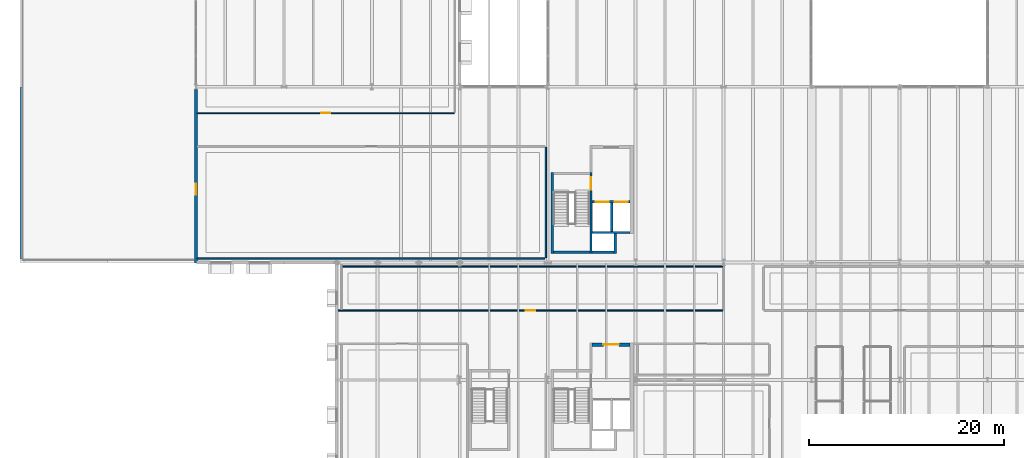
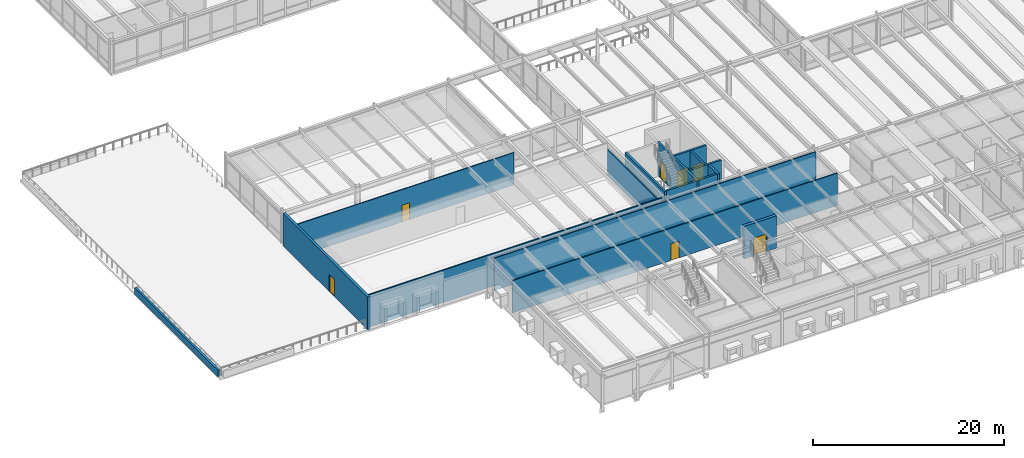
# One storey, part 108 of 127: 16 walls, 7 doors, 7 openings.
"""IFC4 building model written with IfcOpenShell, lengths in metres."""

from ifc_helpers import new_model, si_unit, direction, frame, frame_2d, origin, place, context, subcontext, project, spatial, rectangle, extrude, material, layer, layer_set, type_object, element, fill, save


model = new_model("IFC4")

# Units and contexts
model_context = context("Model", 3, precision=1e-05, world=origin(), true_north=direction((0.0, 1.0)))
body_context = subcontext(model_context, "Body", "Model", "MODEL_VIEW")
ifc_project = project(units=[si_unit("LENGTHUNIT", "METRE"), si_unit("AREAUNIT", "SQUARE_METRE"), si_unit("VOLUMEUNIT", "CUBIC_METRE"), si_unit("PLANEANGLEUNIT", "RADIAN"), si_unit("MASSUNIT", "GRAM", prefix="KILO")], contexts=[model_context])

# Site, building, storey
site_placement = place(None, origin())
site = spatial("IfcSite", under=ifc_project, at=site_placement, CompositionType="ELEMENT")
building_placement = place(site_placement, origin())
building = spatial("IfcBuilding", under=site, at=building_placement, Name="Montelvaro Courts of Justice", CompositionType="ELEMENT")
storey_placement = place(building_placement, frame((0.0, 0.0, 5.39990234375)))
storey = spatial("IfcBuildingStorey", under=building, at=storey_placement, Name="L01", CompositionType="ELEMENT", Elevation=5.39990234375)

# Walls
ifc_material_1 = material(Name="Gypsum board on metal stud")
ifc_layer_1 = layer(ifc_material_1, 0.14990234375)
ifc_layer_set_1 = layer_set([ifc_layer_1], Name="Gypsum board on metal stud")
wall_type_1 = type_object("IfcWallType", Name="ChambersPartition_150", PredefinedType="PARTITIONING", material=ifc_layer_set_1)
wall_1_placement = place(storey_placement, frame((53.719970703125, 24.39990234375, 0.0), z_axis=(0.0, 0.0, 1.0), x_axis=(-1.0, 0.0, 0.0)))
element("IfcWall", 1, at=wall_1_placement, inside=storey, type_object=wall_type_1, Name="Interior Partition IW-04 (L01)", PredefinedType="PARTITIONING", context=body_context, shape_type="SweptSolid", body=[
    extrude(rectangle(XDim=35.574951171875, YDim=0.14990234375, at=frame_2d((17.78759765625, 0.0))), origin(), (0.0, 0.0, 1.0), 4.14013671875),
])
wall_2_placement = place(storey_placement, frame((53.800048828125, 35.820068359375, 0.0), z_axis=(0.0, 0.0, 1.0), x_axis=(0.0, -1.0, 0.0)))
element("IfcWall", 2, at=wall_2_placement, inside=storey, type_object=wall_type_1, Name="Interior Partition IW-04 (L01)", PredefinedType="PARTITIONING", context=body_context, shape_type="SweptSolid", body=[
    extrude(rectangle(XDim=11.340087890625, YDim=0.14990234375, at=frame_2d((5.669921875, 0.0))), origin(), (0.0, 0.0, 1.0), 3.364990234375),
])

# Wall, opening, door
ifc_material_2 = material(Name="Concrete C40/50", Category="concrete")
ifc_layer_2 = layer(ifc_material_2, 0.360107421875)
ifc_layer_set_2 = layer_set([ifc_layer_2], Name="Concrete C40/50")
wall_type_2 = type_object("IfcWallType", Name="CoreWall_360", PredefinedType="SHEAR", material=ifc_layer_set_2)
wall_3_placement = place(storey_placement, frame((58.5400390625, 15.6201171875, 0.0), z_axis=(0.0, 0.0, 1.0), x_axis=(1.0, 0.0, 0.0)))
wall_3 = element("IfcWall", 3, at=wall_3_placement, inside=storey, type_object=wall_type_2, Name="Core Shear Wall CW-01 K1-N (L01)", PredefinedType="SHEAR", context=body_context, shape_type="SweptSolid", body=[
    extrude(rectangle(XDim=3.89990234375, YDim=0.360107421875, at=frame_2d((1.949951171875, 0.0))), origin(), (0.0, 0.0, 1.0), 4.16015625),
])
opening_1_placement = place(wall_3_placement, frame((1.14990234375, 0.0, 0.0)))
opening_1 = element("IfcOpeningElement", 4, at=opening_1_placement, cuts=wall_3, Name="Opening DL-L01-K1", PredefinedType="OPENING", context=body_context, shape_type="SweptSolid", body=[
    extrude(rectangle(XDim=1.60009765625, YDim=2.25, at=frame_2d((0.800048828125, 1.125))), frame((0.0, 0.19482421875, 0.0), z_axis=(0.0, -1.0, 0.0), x_axis=(1.0, 0.0, 0.0)), (0.0, 0.0, 1.0), 0.389892578125),
])
ifc_material_3 = material(Name="Galvanised steel S355 security door", Category="steel")
door_type_1 = type_object("IfcDoorType", Name="LobbyFireDoor_160x225", OperationType="DOUBLE_DOOR_SINGLE_SWING", PredefinedType="DOOR", material=ifc_material_3)
door_1_placement = place(opening_1_placement, origin())
door_1 = element("IfcDoor", 5, at=door_1_placement, inside=storey, type_object=door_type_1, Name="Core Lobby Fire Door DL-L01-K1", OperationType="DOUBLE_DOOR_SINGLE_SWING", OverallHeight=2.25, OverallWidth=1.60009765625, PredefinedType="DOOR", context=body_context, shape_type="SweptSolid", body=[
    extrude(rectangle(XDim=1.60009765625, YDim=2.25, at=frame_2d((0.800048828125, 1.125))), frame((0.0, 0.02490234375, 0.0), z_axis=(0.0, -1.0, 0.0), x_axis=(1.0, 0.0, 0.0)), (0.0, 0.0, 1.0), 0.050048828125),
])
fill(opening_1, door_1)

ifc_material_4 = material(Name="White mineral precast concrete C45/55", Category="concrete")
ifc_layer_3 = layer(ifc_material_4, 0.300048828125)
ifc_layer_set_3 = layer_set([ifc_layer_3], Name="White mineral precast concrete C45/55")
wall_type_3 = type_object("IfcWallType", Name="ExtWall_GFRC_300", PredefinedType="SOLIDWALL", material=ifc_layer_set_3)
wall_4_placement = place(storey_placement, frame((18.0, 41.72705078125, 0.0), z_axis=(0.0, 0.0, 1.0), x_axis=(0.0, -1.0, 0.0)))
wall_4 = element("IfcWall", 6, at=wall_4_placement, inside=storey, type_object=wall_type_3, Name="Exterior Facade Wall EW-02 (L01)", PredefinedType="SOLIDWALL", context=body_context, shape_type="SweptSolid", body=[
    extrude(rectangle(XDim=17.76708984375, YDim=0.300048828125, at=frame_2d((8.883544921875, 0.0))), origin(), (0.0, 0.0, 1.0), 4.18017578125),
])
opening_2_placement = place(wall_4_placement, frame((9.677001953125, 0.0, 0.0)))
opening_2 = element("IfcOpeningElement", 7, at=opening_2_placement, cuts=wall_4, Name="Opening DT-L01-01", PredefinedType="OPENING", context=body_context, shape_type="SweptSolid", body=[
    extrude(rectangle(XDim=1.10009765625, YDim=2.199951171875, at=frame_2d((0.550048828125, 1.10009765625))), frame((0.0, 0.1650390625, 0.0), z_axis=(0.0, -1.0, 0.0), x_axis=(1.0, 0.0, 0.0)), (0.0, 0.0, 1.0), 0.329833984375),
])
ifc_material_5 = material(Name="Anodised aluminium and laminated safety glass", Category="aluminium")
door_type_2 = type_object("IfcDoorType", Name="ExtDoor_Ter_110x220", OperationType="NOTDEFINED", PredefinedType="DOOR", material=ifc_material_5)
door_2_placement = place(opening_2_placement, frame((1.10009765625, 0.0, 0.0), z_axis=(0.0, 0.0, 1.0), x_axis=(-1.0, 0.0, 0.0)))
door_2 = element("IfcDoor", 8, at=door_2_placement, inside=storey, type_object=door_type_2, Name="Terrace Access Door DT-L01-01", OperationType="SINGLE_SWING_LEFT", OverallHeight=2.199951171875, OverallWidth=1.10009765625, PredefinedType="DOOR", context=body_context, shape_type="SweptSolid", body=[
    extrude(rectangle(XDim=1.10009765625, YDim=2.199951171875, at=frame_2d((0.550048828125, 1.10009765625))), frame((0.0, 0.02490234375, 0.0), z_axis=(0.0, -1.0, 0.0), x_axis=(1.0, 0.0, 0.0)), (0.0, 0.0, 1.0), 0.050048828125),
])
fill(opening_2, door_2)

ifc_layer_4 = layer(ifc_material_1, 0.1201171875)
ifc_layer_set_4 = layer_set([ifc_layer_4], Name="Gypsum board on metal stud")
wall_type_4 = type_object("IfcWallType", Name="OfficePartition_120", PredefinedType="PARTITIONING", material=ifc_layer_set_4)
wall_5_placement = place(storey_placement, frame((44.419921875, 39.300048828125, 0.0), z_axis=(0.0, 0.0, 1.0), x_axis=(-1.0, 0.0, 0.0)))
wall_5 = element("IfcWall", 9, at=wall_5_placement, inside=storey, type_object=wall_type_4, Name="Interior Partition IW-05 (L01)", PredefinedType="PARTITIONING", context=body_context, shape_type="SweptSolid", body=[
    extrude(rectangle(XDim=26.27490234375, YDim=0.1201171875, at=frame_2d((13.137451171875, 0.0))), origin(), (0.0, 0.0, 1.0), 4.14013671875),
])
opening_3_placement = place(wall_5_placement, frame((12.6630859375, 0.0, 0.0)))
opening_3 = element("IfcOpeningElement", 10, at=opening_3_placement, cuts=wall_5, Name="Opening D-L01-065", PredefinedType="OPENING", context=body_context, shape_type="SweptSolid", body=[
    extrude(rectangle(XDim=0.949951171875, YDim=2.14990234375, at=frame_2d((0.47509765625, 1.074951171875))), frame((0.0, 0.074951171875, 0.0), z_axis=(0.0, -1.0, 0.0), x_axis=(1.0, 0.0, 0.0)), (0.0, 0.0, 1.0), 0.14990234375),
])
ifc_material_6 = material(Name="Acoustic oak timber veneer", Category="wood")
door_type_3 = type_object("IfcDoorType", Name="OfficeDoor_095x215", OperationType="NOTDEFINED", PredefinedType="DOOR", material=ifc_material_6)
door_3_placement = place(opening_3_placement, frame((0.949951171875, 0.0, 0.0), z_axis=(0.0, 0.0, 1.0), x_axis=(-1.0, 0.0, 0.0)))
door_3 = element("IfcDoor", 11, at=door_3_placement, inside=storey, type_object=door_type_3, Name="Interior Door D-L01-065 (Digital Legal Research Room L01)", OperationType="SINGLE_SWING_RIGHT", OverallHeight=2.14990234375, OverallWidth=0.949951171875, PredefinedType="DOOR", context=body_context, shape_type="SweptSolid", body=[
    extrude(rectangle(XDim=0.949951171875, YDim=2.14990234375, at=frame_2d((0.47509765625, 1.074951171875))), frame((0.0, 0.02490234375, 0.0), z_axis=(0.0, -1.0, 0.0), x_axis=(1.0, 0.0, 0.0)), (0.0, 0.0, 1.0), 0.050048828125),
])
fill(opening_3, door_3)

# Wall
wall_6_placement = place(storey_placement, frame((32.955078125, 23.60009765625, 0.0), z_axis=(0.0, 0.0, 1.0), x_axis=(1.0, 0.0, 0.0)))
element("IfcWall", 12, at=wall_6_placement, inside=storey, type_object=wall_type_4, Name="Interior Partition IW-05 (L01)", PredefinedType="PARTITIONING", context=body_context, shape_type="SweptSolid", body=[
    extrude(rectangle(XDim=38.96484375, YDim=0.1201171875, at=frame_2d((19.482421875, 0.0))), origin(), (0.0, 0.0, 1.0), 4.14013671875),
])

# Wall, opening, door
wall_7_placement = place(storey_placement, frame((71.919921875, 19.10009765625, 0.0), z_axis=(0.0, 0.0, 1.0), x_axis=(-1.0, 0.0, 0.0)))
wall_7 = element("IfcWall", 13, at=wall_7_placement, inside=storey, type_object=wall_type_4, Name="Interior Partition IW-05 (L01)", PredefinedType="PARTITIONING", context=body_context, shape_type="SweptSolid", body=[
    extrude(rectangle(XDim=39.375, YDim=0.1201171875, at=frame_2d((19.6875, 0.0))), origin(), (0.0, 0.0, 1.0), 4.14013671875),
])
opening_4_placement = place(wall_7_placement, frame((19.2119140625, 0.0, 0.0)))
opening_4 = element("IfcOpeningElement", 14, at=opening_4_placement, cuts=wall_7, Name="Opening D-L01-072", PredefinedType="OPENING", context=body_context, shape_type="SweptSolid", body=[
    extrude(rectangle(XDim=0.949951171875, YDim=2.14990234375, at=frame_2d((0.47509765625, 1.074951171875))), frame((0.0, 0.074951171875, 0.0), z_axis=(0.0, -1.0, 0.0), x_axis=(1.0, 0.0, 0.0)), (0.0, 0.0, 1.0), 0.14990234375),
])
door_4_placement = place(opening_4_placement, origin())
door_4 = element("IfcDoor", 15, at=door_4_placement, inside=storey, type_object=door_type_3, Name="Interior Door D-L01-072 (Judicial Clerks' Office West L01)", OperationType="SINGLE_SWING_LEFT", OverallHeight=2.14990234375, OverallWidth=0.949951171875, PredefinedType="DOOR", context=body_context, shape_type="SweptSolid", body=[
    extrude(rectangle(XDim=0.949951171875, YDim=2.14990234375, at=frame_2d((0.47509765625, 1.074951171875))), frame((0.0, 0.02490234375, 0.0), z_axis=(0.0, -1.0, 0.0), x_axis=(1.0, 0.0, 0.0)), (0.0, 0.0, 1.0), 0.050048828125),
])
fill(opening_4, door_4)

# Walls
ifc_layer_5 = layer(ifc_material_4, 0.239990234375)
ifc_layer_set_5 = layer_set([ifc_layer_5], Name="White mineral precast concrete C45/55")
wall_type_5 = type_object("IfcWallType", Name="ParapetWall_240", PredefinedType="PARAPET", material=ifc_layer_set_5)
wall_8_placement = place(storey_placement, frame((0.1201171875, 24.419921875, -0.099853515625), z_axis=(0.0, 0.0, 1.0), x_axis=(0.0, 1.0, 0.0)))
element("IfcWall", 16, at=wall_8_placement, inside=storey, type_object=wall_type_5, Name="Roof Parapet PW-01 L01-072", PredefinedType="PARAPET", context=body_context, shape_type="SweptSolid", body=[
    extrude(rectangle(XDim=17.52001953125, YDim=0.239990234375, at=frame_2d((8.760009765625, 0.0))), origin(), (0.0, 0.0, 1.0), 0.849853515625),
])
ifc_material_7 = material(Name="Concrete C35/45", Category="concrete")
ifc_layer_6 = layer(ifc_material_7, 0.239990234375)
ifc_layer_set_6 = layer_set([ifc_layer_6], Name="Concrete C35/45")
wall_type_6 = type_object("IfcWallType", Name="ShaftWall_240", PredefinedType="SHEAR", material=ifc_layer_set_6)
wall_9_placement = place(storey_placement, frame((54.47998046875, 24.9599609375, 0.0), z_axis=(0.0, 0.0, 1.0), x_axis=(0.0, 1.0, 0.0)))
element("IfcWall", 17, at=wall_9_placement, inside=storey, type_object=wall_type_6, Name="Protected Stair Structural Wall ST-W1-W (L01)", PredefinedType="SHEAR", context=body_context, shape_type="SweptSolid", body=[
    extrude(rectangle(XDim=8.280029296875, YDim=0.239990234375, at=frame_2d((4.14013671875, 0.0))), origin(), (0.0, 0.0, 1.0), 4.31005859375),
])

# Wall, opening, door
wall_10_placement = place(storey_placement, frame((58.419921875, 24.9599609375, 0.0), z_axis=(0.0, 0.0, 1.0), x_axis=(0.0, 1.0, 0.0)))
wall_10 = element("IfcWall", 18, at=wall_10_placement, inside=storey, type_object=wall_type_6, Name="Protected Stair Structural Wall ST-W1-E (L01)", PredefinedType="SHEAR", context=body_context, shape_type="SweptSolid", body=[
    extrude(rectangle(XDim=8.280029296875, YDim=0.239990234375, at=frame_2d((4.14013671875, 0.0))), origin(), (0.0, 0.0, 1.0), 4.31005859375),
])
opening_5_placement = place(wall_10_placement, frame((6.489990234375, 0.0, 0.0)))
opening_5 = element("IfcOpeningElement", 19, at=opening_5_placement, cuts=wall_10, Name="Opening DS-L01-K5", PredefinedType="OPENING", context=body_context, shape_type="SweptSolid", body=[
    extrude(rectangle(XDim=1.300048828125, YDim=2.199951171875, at=frame_2d((0.64990234375, 1.10009765625))), frame((0.0, 0.134765625, 0.0), z_axis=(0.0, -1.0, 0.0), x_axis=(1.0, 0.0, 0.0)), (0.0, 0.0, 1.0), 0.269775390625),
])
door_type_4 = type_object("IfcDoorType", Name="StairFireDoor_130x220", OperationType="NOTDEFINED", PredefinedType="DOOR", material=ifc_material_3)
door_5_placement = place(opening_5_placement, frame((1.300048828125, 0.0, 0.0), z_axis=(0.0, 0.0, 1.0), x_axis=(-1.0, 0.0, 0.0)))
door_5 = element("IfcDoor", 20, at=door_5_placement, inside=storey, type_object=door_type_4, Name="Protected Stair Fire Door DS-L01-K5", OperationType="SINGLE_SWING_LEFT", OverallHeight=2.199951171875, OverallWidth=1.300048828125, PredefinedType="DOOR", context=body_context, shape_type="SweptSolid", body=[
    extrude(rectangle(XDim=1.300048828125, YDim=2.199951171875, at=frame_2d((0.64990234375, 1.10009765625))), frame((0.0, 0.02490234375, 0.0), z_axis=(0.0, -1.0, 0.0), x_axis=(1.0, 0.0, 0.0)), (0.0, 0.0, 1.0), 0.050048828125),
])
fill(opening_5, door_5)

# Wall
wall_11_placement = place(storey_placement, frame((54.60009765625, 25.080078125, 0.0), z_axis=(0.0, 0.0, 1.0), x_axis=(1.0, 0.0, 0.0)))
element("IfcWall", 21, at=wall_11_placement, inside=storey, type_object=wall_type_6, Name="Protected Stair Structural Wall ST-W1-S (L01)", PredefinedType="SHEAR", context=body_context, shape_type="SweptSolid", body=[
    extrude(rectangle(XDim=3.699951171875, YDim=0.239990234375, at=frame_2d((1.85009765625, 0.0))), origin(), (0.0, 0.0, 1.0), 4.31005859375),
])

# Wall, openings, doors
wall_12_placement = place(storey_placement, frame((58.5400390625, 30.219970703125, 0.0), z_axis=(0.0, 0.0, 1.0), x_axis=(1.0, 0.0, 0.0)))
wall_12 = element("IfcWall", 22, at=wall_12_placement, inside=storey, type_object=wall_type_6, Name="Lift Shaft Bank Wall K5 (L01)", PredefinedType="SHEAR", context=body_context, shape_type="SweptSolid", body=[
    extrude(rectangle(XDim=3.89990234375, YDim=0.239990234375, at=frame_2d((1.949951171875, 0.0))), origin(), (0.0, 0.0, 1.0), 4.31005859375),
])
opening_6_placement = place(wall_12_placement, frame((0.385009765625, 0.0, 0.0)))
opening_6 = element("IfcOpeningElement", 23, at=opening_6_placement, cuts=wall_12, Name="Opening LD-LP-03-L01", PredefinedType="OPENING", context=body_context, shape_type="SweptSolid", body=[
    extrude(rectangle(XDim=1.300048828125, YDim=2.199951171875, at=frame_2d((0.64990234375, 1.10009765625))), frame((0.0, 0.134765625, 0.0), z_axis=(0.0, -1.0, 0.0), x_axis=(1.0, 0.0, 0.0)), (0.0, 0.0, 1.0), 0.269775390625),
])
opening_7_placement = place(wall_12_placement, frame((2.3349609375, 0.0, 0.0)))
opening_7 = element("IfcOpeningElement", 24, at=opening_7_placement, cuts=wall_12, Name="Opening LD-LJ-03-L01", PredefinedType="OPENING", context=body_context, shape_type="SweptSolid", body=[
    extrude(rectangle(XDim=1.300048828125, YDim=2.199951171875, at=frame_2d((0.64990234375, 1.10009765625))), frame((0.0, 0.134765625, 0.0), z_axis=(0.0, -1.0, 0.0), x_axis=(1.0, 0.0, 0.0)), (0.0, 0.0, 1.0), 0.269775390625),
])
door_type_5 = type_object("IfcDoorType", Name="LiftDoor_130x220", OperationType="DOUBLE_DOOR_SLIDING", PredefinedType="DOOR", material=ifc_material_3)
door_6_placement = place(opening_6_placement, origin())
door_6 = element("IfcDoor", 25, at=door_6_placement, inside=storey, type_object=door_type_5, Name="Lift Landing Sliding Door LD-LP-03-L01", OperationType="DOUBLE_DOOR_SLIDING", OverallHeight=2.199951171875, OverallWidth=1.300048828125, PredefinedType="DOOR", context=body_context, shape_type="SweptSolid", body=[
    extrude(rectangle(XDim=1.300048828125, YDim=2.199951171875, at=frame_2d((0.64990234375, 1.10009765625))), frame((0.0, 0.02490234375, 0.0), z_axis=(0.0, -1.0, 0.0), x_axis=(1.0, 0.0, 0.0)), (0.0, 0.0, 1.0), 0.050048828125),
])
fill(opening_6, door_6)
door_7_placement = place(opening_7_placement, origin())
door_7 = element("IfcDoor", 26, at=door_7_placement, inside=storey, type_object=door_type_5, Name="Lift Landing Sliding Door LD-LJ-03-L01", OperationType="DOUBLE_DOOR_SLIDING", OverallHeight=2.199951171875, OverallWidth=1.300048828125, PredefinedType="DOOR", context=body_context, shape_type="SweptSolid", body=[
    extrude(rectangle(XDim=1.300048828125, YDim=2.199951171875, at=frame_2d((0.64990234375, 1.10009765625))), frame((0.0, 0.02490234375, 0.0), z_axis=(0.0, -1.0, 0.0), x_axis=(1.0, 0.0, 0.0)), (0.0, 0.0, 1.0), 0.050048828125),
])
fill(opening_7, door_7)

# Walls
wall_13_placement = place(storey_placement, frame((58.5400390625, 27.080078125, 0.0), z_axis=(0.0, 0.0, 1.0), x_axis=(1.0, 0.0, 0.0)))
element("IfcWall", 27, at=wall_13_placement, inside=storey, type_object=wall_type_6, Name="Lift Shaft Back Wall K5 (L01)", PredefinedType="SHEAR", context=body_context, shape_type="SweptSolid", body=[
    extrude(rectangle(XDim=3.89990234375, YDim=0.239990234375, at=frame_2d((1.949951171875, 0.0))), origin(), (0.0, 0.0, 1.0), 4.31005859375),
])
wall_14_placement = place(storey_placement, frame((60.550048828125, 27.199951171875, 0.0), z_axis=(0.0, 0.0, 1.0), x_axis=(0.0, 1.0, 0.0)))
element("IfcWall", 28, at=wall_14_placement, inside=storey, type_object=wall_type_6, Name="Lift Shaft Divider Wall K5-LFD1 (L01)", PredefinedType="SHEAR", context=body_context, shape_type="SweptSolid", body=[
    extrude(rectangle(XDim=2.900146484375, YDim=0.239990234375, at=frame_2d((1.4501953125, 0.0))), origin(), (0.0, 0.0, 1.0), 4.31005859375),
])
wall_15_placement = place(storey_placement, frame((60.919921875, 24.9599609375, 0.0), z_axis=(0.0, 0.0, 1.0), x_axis=(0.0, 1.0, 0.0)))
element("IfcWall", 29, at=wall_15_placement, inside=storey, type_object=wall_type_6, Name="Service Riser East Shaft Wall K5 (L01)", PredefinedType="SHEAR", context=body_context, shape_type="SweptSolid", body=[
    extrude(rectangle(XDim=2.0, YDim=0.239990234375, at=frame_2d((1.0, 0.0))), origin(), (0.0, 0.0, 1.0), 4.31005859375),
])
wall_16_placement = place(storey_placement, frame((58.5400390625, 25.080078125, 0.0), z_axis=(0.0, 0.0, 1.0), x_axis=(1.0, 0.0, 0.0)))
element("IfcWall", 30, at=wall_16_placement, inside=storey, type_object=wall_type_6, Name="Service Riser South Shaft Wall K5 (L01)", PredefinedType="SHEAR", context=body_context, shape_type="SweptSolid", body=[
    extrude(rectangle(XDim=2.260009765625, YDim=0.239990234375, at=frame_2d((1.1298828125, 0.0))), origin(), (0.0, 0.0, 1.0), 4.31005859375),
])

save(model, "model.ifc")
